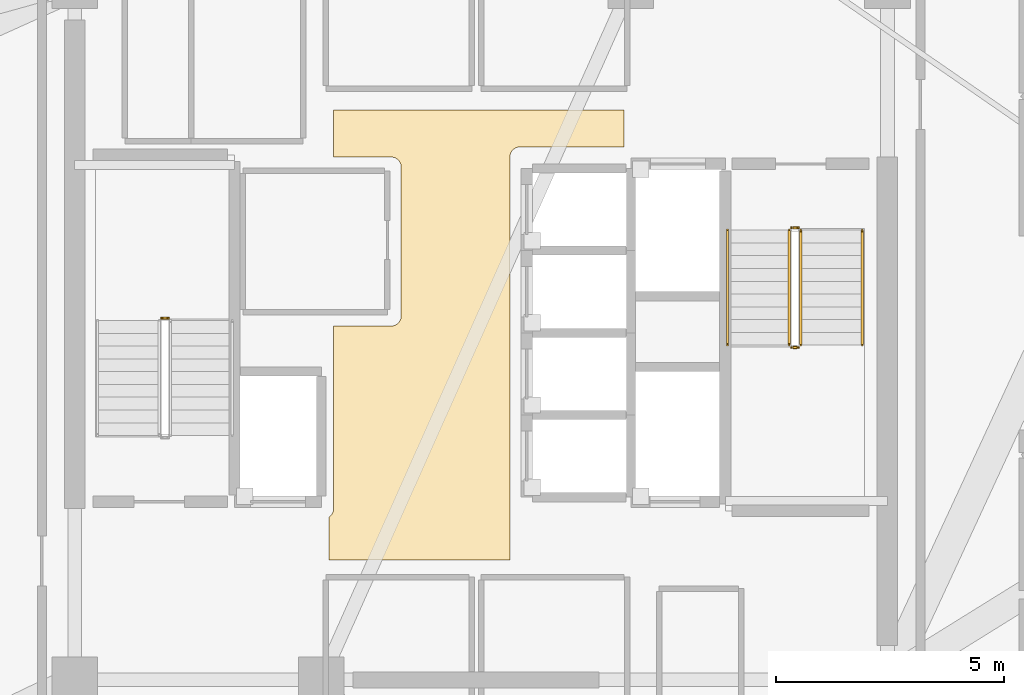
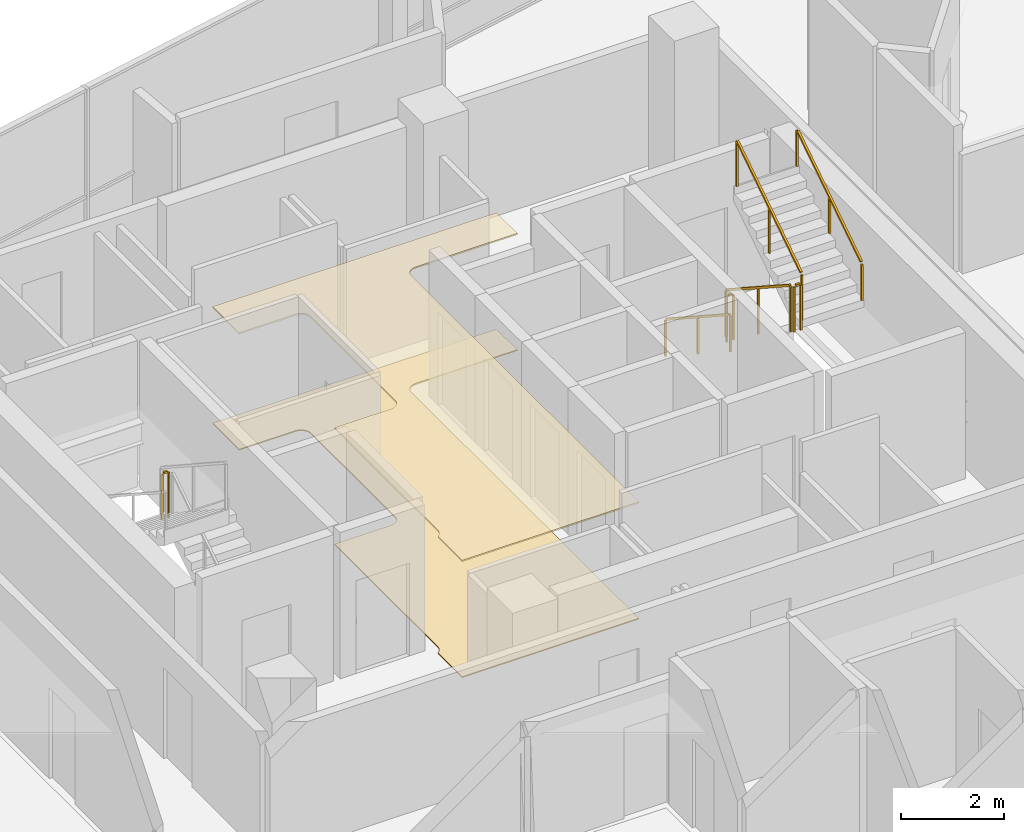
# One storey, part 17 of 18: 7 railings, 2 coverings.
"""IFC4 building model written with IfcOpenShell, lengths in metres."""

from ifc_helpers import new_model, si_unit, direction, frame, origin, origin_2d, place, context, subcontext, project, spatial, polyline, rectangle, outline, extrude, material, layer, layer_set, type_object, element, save


model = new_model("IFC4")

# Units and contexts
model_context = context("Model", 3, precision=1e-05, world=origin(), true_north=direction((0.0, 1.0)))
body_context = subcontext(model_context, "Body", "Model", "MODEL_VIEW")
ifc_project = project(units=[si_unit("LENGTHUNIT", "METRE"), si_unit("AREAUNIT", "SQUARE_METRE"), si_unit("VOLUMEUNIT", "CUBIC_METRE"), si_unit("PLANEANGLEUNIT", "RADIAN"), si_unit("MASSUNIT", "GRAM", prefix="KILO")], contexts=[model_context])

# Site, building, storey
site_placement = place(None, origin())
site = spatial("IfcSite", under=ifc_project, at=site_placement, CompositionType="ELEMENT")
building_placement = place(site_placement, origin())
building = spatial("IfcBuilding", under=site, at=building_placement, Name="Tharavind Bronze Gate", CompositionType="ELEMENT")
storey_placement = place(building_placement, frame((0.0, 0.0, 279.75)))
storey = spatial("IfcBuildingStorey", under=building, at=storey_placement, Name="L72", CompositionType="ELEMENT", Elevation=279.75)

# Coverings
ifc_material_1 = material(Name="Perforated Bronze Acoustic Panel", Category="bronze")
ifc_layer_1 = layer(ifc_material_1, 0.044921875)
ifc_layer_set_1 = layer_set([ifc_layer_1], Name="Perforated Bronze Acoustic Panel")
covering_type_1 = type_object("IfcCoveringType", Name="ACOUSTIC BRONZE BAFFLE CEILING", PredefinedType="CEILING", material=ifc_layer_set_1)
covering_1_placement = place(storey_placement, frame((0.0, 0.0, 2.75)))
element("IfcCovering", 1, at=covering_1_placement, inside=storey, type_object=covering_type_1, Name="L72-C-LL suspended ceiling", PredefinedType="CEILING", context=body_context, shape_type="SweptSolid", body=[
    extrude(outline(polyline([(-3.330078125, -4.97998046875), (0.6298828125, -4.97998046875), (0.6298828125, 3.85009765625), (0.631103515625, 3.87158203125), (0.63427734375, 3.892822265625), (0.639404296875, 3.913818359375), (0.646728515625, 3.93408203125), (0.656005859375, 3.95361328125), (0.6669921875, 3.97216796875), (0.679931640625, 3.989501953125), (0.6943359375, 4.005615234375), (0.71044921875, 4.02001953125), (0.727783203125, 4.032958984375), (0.746337890625, 4.0439453125), (0.765869140625, 4.05322265625), (0.7861328125, 4.060546875), (0.80712890625, 4.06591796875), (0.828369140625, 4.06884765625), (0.85009765625, 4.070068359375), (3.1298828125, 4.070068359375), (3.1298828125, 4.8798828125), (-3.22998046875, 4.8798828125), (-3.22998046875, 3.85009765625), (-1.969970703125, 3.85009765625), (-1.948486328125, 3.848876953125), (-1.927001953125, 3.845703125), (-1.906005859375, 3.840576171875), (-1.8857421875, 3.833251953125), (-1.8662109375, 3.823974609375), (-1.847900390625, 3.81298828125), (-1.830322265625, 3.800048828125), (-1.814453125, 3.78564453125), (-1.7998046875, 3.76953125), (-1.787109375, 3.752197265625), (-1.77587890625, 3.733642578125), (-1.7666015625, 3.714111328125), (-1.759521484375, 3.69384765625), (-1.754150390625, 3.6728515625), (-1.751220703125, 3.651611328125), (-1.75, 3.6298828125), (-1.75, 0.3701171875), (-1.751220703125, 0.348388671875), (-1.754150390625, 0.3271484375), (-1.759521484375, 0.30615234375), (-1.7666015625, 0.285888671875), (-1.77587890625, 0.266357421875), (-1.787109375, 0.247802734375), (-1.7998046875, 0.23046875), (-1.814453125, 0.21435546875), (-1.830322265625, 0.199951171875), (-1.847900390625, 0.18701171875), (-1.8662109375, 0.176025390625), (-1.8857421875, 0.166748046875), (-1.906005859375, 0.159423828125), (-1.927001953125, 0.154296875), (-1.948486328125, 0.151123046875), (-1.969970703125, 0.14990234375), (-3.22998046875, 0.14990234375), (-3.22998046875, -3.85009765625), (-3.231201171875, -3.87158203125), (-3.234130859375, -3.892822265625), (-3.239501953125, -3.913818359375), (-3.24658203125, -3.93408203125), (-3.256103515625, -3.95361328125), (-3.26708984375, -3.97216796875), (-3.27978515625, -3.989501953125), (-3.29443359375, -4.005615234375), (-3.310302734375, -4.02001953125), (-3.327880859375, -4.032958984375), (-3.330078125, -4.0341796875), (-3.330078125, -4.97998046875)])), origin(), (0.0, 0.0, 1.0), 0.034912109375),
])
ifc_material_2 = material(Name="Honed Travertine Limestone", Category="masonry")
ifc_layer_2 = layer(ifc_material_2, 0.030029296875)
ifc_layer_set_2 = layer_set([ifc_layer_2], Name="Honed Travertine Limestone")
covering_type_2 = type_object("IfcCoveringType", Name="HONED LIMESTONE FLOORING", PredefinedType="FLOORING", material=ifc_layer_set_2)
covering_2_placement = place(storey_placement, origin())
element("IfcCovering", 2, at=covering_2_placement, inside=storey, type_object=covering_type_2, Name="L72-C-LL floor finish", PredefinedType="FLOORING", context=body_context, shape_type="SweptSolid", body=[
    extrude(outline(polyline([(-3.330078125, -4.97998046875), (0.6298828125, -4.97998046875), (0.6298828125, 3.85009765625), (0.631103515625, 3.87158203125), (0.63427734375, 3.892822265625), (0.639404296875, 3.913818359375), (0.646728515625, 3.93408203125), (0.656005859375, 3.95361328125), (0.6669921875, 3.97216796875), (0.679931640625, 3.989501953125), (0.6943359375, 4.005615234375), (0.71044921875, 4.02001953125), (0.727783203125, 4.032958984375), (0.746337890625, 4.0439453125), (0.765869140625, 4.05322265625), (0.7861328125, 4.060546875), (0.80712890625, 4.06591796875), (0.828369140625, 4.06884765625), (0.85009765625, 4.070068359375), (3.1298828125, 4.070068359375), (3.1298828125, 4.8798828125), (-3.22998046875, 4.8798828125), (-3.22998046875, 3.85009765625), (-1.969970703125, 3.85009765625), (-1.948486328125, 3.848876953125), (-1.927001953125, 3.845703125), (-1.906005859375, 3.840576171875), (-1.8857421875, 3.833251953125), (-1.8662109375, 3.823974609375), (-1.847900390625, 3.81298828125), (-1.830322265625, 3.800048828125), (-1.814453125, 3.78564453125), (-1.7998046875, 3.76953125), (-1.787109375, 3.752197265625), (-1.77587890625, 3.733642578125), (-1.7666015625, 3.714111328125), (-1.759521484375, 3.69384765625), (-1.754150390625, 3.6728515625), (-1.751220703125, 3.651611328125), (-1.75, 3.6298828125), (-1.75, 0.3701171875), (-1.751220703125, 0.348388671875), (-1.754150390625, 0.3271484375), (-1.759521484375, 0.30615234375), (-1.7666015625, 0.285888671875), (-1.77587890625, 0.266357421875), (-1.787109375, 0.247802734375), (-1.7998046875, 0.23046875), (-1.814453125, 0.21435546875), (-1.830322265625, 0.199951171875), (-1.847900390625, 0.18701171875), (-1.8662109375, 0.176025390625), (-1.8857421875, 0.166748046875), (-1.906005859375, 0.159423828125), (-1.927001953125, 0.154296875), (-1.948486328125, 0.151123046875), (-1.969970703125, 0.14990234375), (-3.22998046875, 0.14990234375), (-3.22998046875, -3.85009765625), (-3.231201171875, -3.87158203125), (-3.234130859375, -3.892822265625), (-3.239501953125, -3.913818359375), (-3.24658203125, -3.93408203125), (-3.256103515625, -3.95361328125), (-3.26708984375, -3.97216796875), (-3.27978515625, -3.989501953125), (-3.29443359375, -4.005615234375), (-3.310302734375, -4.02001953125), (-3.327880859375, -4.032958984375), (-3.330078125, -4.0341796875), (-3.330078125, -4.97998046875)])), origin(), (0.0, 0.0, 1.0), 0.02490234375),
])

# Railings
ifc_material_3 = material(Name="Brushed Bronze Alloy", Category="metal")
railing_type_1 = type_object("IfcRailingType", Name="STAIR BRONZE HANDRAIL 900", PredefinedType="HANDRAIL", material=ifc_material_3)
railing_1_placement = place(storey_placement, frame((5.39990234375, 2.25, 0.1826171875)))
element("IfcRailing", 3, at=railing_1_placement, inside=storey, type_object=railing_type_1, Name="L72 ST2 stair handrail 1", PredefinedType="HANDRAIL", context=body_context, shape_type="SweptSolid", body=[
    extrude(rectangle(XDim=0.048095703125, YDim=0.048095703125, at=origin_2d()), frame((0.0, -0.02685546875, 0.893310546875), z_axis=(0.0, -0.837786554691, 0.545997883492), x_axis=(1.0, 0.0, 0.0)), (0.0, 0.0, 1.0), 2.94384765625),
    extrude(rectangle(XDim=0.0400390625, YDim=0.0400390625, at=origin_2d()), origin(), (0.0, 0.0, 1.0), 0.847900390625),
    extrude(rectangle(XDim=0.0400390625, YDim=0.0400390625, at=origin_2d()), frame((0.0, -1.260009765625, 0.8212890625)), (0.0, 0.0, 1.0), 0.847900390625),
    extrude(rectangle(XDim=0.0400390625, YDim=0.0400390625, at=origin_2d()), frame((0.0, -2.52001953125, 1.642333984375)), (0.0, 0.0, 1.0), 0.847900390625),
])
railing_2_placement = place(storey_placement, frame((8.35009765625, -0.27001953125, 2.007568359375)))
element("IfcRailing", 4, at=railing_2_placement, inside=storey, type_object=railing_type_1, Name="L72 ST2 stair handrail 2", PredefinedType="HANDRAIL", context=body_context, shape_type="SweptSolid", body=[
    extrude(rectangle(XDim=0.048095703125, YDim=0.048095703125, at=origin_2d()), frame((0.0, 0.02685546875, 0.893310546875), z_axis=(0.0, 0.837786554691, 0.545997883492), x_axis=(-1.0, 0.0, 0.0)), (0.0, 0.0, 1.0), 2.94384765625),
    extrude(rectangle(XDim=0.0400390625, YDim=0.0400390625, at=origin_2d()), origin(), (0.0, 0.0, 1.0), 0.847900390625),
    extrude(rectangle(XDim=0.0400390625, YDim=0.0400390625, at=origin_2d()), frame((0.0, 1.260009765625, 0.8212890625)), (0.0, 0.0, 1.0), 0.847900390625),
    extrude(rectangle(XDim=0.0400390625, YDim=0.0400390625, at=origin_2d()), frame((0.0, 2.52001953125, 1.642333984375)), (0.0, 0.0, 1.0), 0.847900390625),
])
railing_type_2 = type_object("IfcRailingType", Name="STAIR WELL GUARD RAILING 1120", PredefinedType="GUARDRAIL", material=ifc_material_3)
railing_3_placement = place(storey_placement, frame((-6.85009765625, 0.320068359375, 1.824951171875)))
element("IfcRailing", 5, at=railing_3_placement, inside=storey, type_object=railing_type_2, Name="L72 ST1 stair guard 2", PredefinedType="GUARDRAIL", context=body_context, shape_type="SweptSolid", body=[
    extrude(rectangle(XDim=0.048095703125, YDim=0.048095703125, at=origin_2d()), frame((-0.031982421875, 0.0, 1.09619140625), z_axis=(-1.0, 0.0, 0.0), x_axis=(0.0, -1.0, 0.0)), (0.0, 0.0, 1.0), 0.0859375),
    extrude(rectangle(XDim=0.0400390625, YDim=0.0400390625, at=origin_2d()), origin(), (0.0, 0.0, 1.0), 1.068115234375),
    extrude(rectangle(XDim=0.0400390625, YDim=0.0400390625, at=origin_2d()), frame((-0.14990234375, 0.0, 0.0)), (0.0, 0.0, 1.0), 1.068115234375),
])
railing_4_placement = place(storey_placement, frame((6.75, 2.25, 0.1826171875)))
element("IfcRailing", 6, at=railing_4_placement, inside=storey, type_object=railing_type_2, Name="L72 ST2 stair guard 1", PredefinedType="GUARDRAIL", context=body_context, shape_type="SweptSolid", body=[
    extrude(rectangle(XDim=0.048095703125, YDim=0.048095703125, at=origin_2d()), frame((0.0, -0.02685546875, 1.113525390625), z_axis=(0.0, -0.837786554691, 0.545997883492), x_axis=(1.0, 0.0, 0.0)), (0.0, 0.0, 1.0), 2.94384765625),
    extrude(rectangle(XDim=0.0400390625, YDim=0.0400390625, at=origin_2d()), origin(), (0.0, 0.0, 1.0), 1.068115234375),
    extrude(rectangle(XDim=0.0400390625, YDim=0.0400390625, at=origin_2d()), frame((0.0, -1.260009765625, 0.8212890625)), (0.0, 0.0, 1.0), 1.068115234375),
    extrude(rectangle(XDim=0.0400390625, YDim=0.0400390625, at=origin_2d()), frame((0.0, -2.52001953125, 1.642333984375)), (0.0, 0.0, 1.0), 1.068115234375),
])
railing_5_placement = place(storey_placement, frame((6.800048828125, -0.320068359375, 1.824951171875)))
element("IfcRailing", 7, at=railing_5_placement, inside=storey, type_object=railing_type_2, Name="L72 ST2 stair guard 2", PredefinedType="GUARDRAIL", context=body_context, shape_type="SweptSolid", body=[
    extrude(rectangle(XDim=0.048095703125, YDim=0.048095703125, at=origin_2d()), frame((0.031982421875, 0.0, 1.09619140625), z_axis=(1.0, 0.0, 0.0), x_axis=(0.0, 1.0, 0.0)), (0.0, 0.0, 1.0), 0.0859375),
    extrude(rectangle(XDim=0.0400390625, YDim=0.0400390625, at=origin_2d()), origin(), (0.0, 0.0, 1.0), 1.068115234375),
    extrude(rectangle(XDim=0.0400390625, YDim=0.0400390625, at=origin_2d()), frame((0.14990234375, 0.0, 0.0)), (0.0, 0.0, 1.0), 1.068115234375),
])
railing_6_placement = place(storey_placement, frame((7.0, -0.27001953125, 2.007568359375)))
element("IfcRailing", 8, at=railing_6_placement, inside=storey, type_object=railing_type_2, Name="L72 ST2 stair guard 3", PredefinedType="GUARDRAIL", context=body_context, shape_type="SweptSolid", body=[
    extrude(rectangle(XDim=0.048095703125, YDim=0.048095703125, at=origin_2d()), frame((0.0, 0.02685546875, 1.113525390625), z_axis=(0.0, 0.837786554691, 0.545997883492), x_axis=(-1.0, 0.0, 0.0)), (0.0, 0.0, 1.0), 2.94384765625),
    extrude(rectangle(XDim=0.0400390625, YDim=0.0400390625, at=origin_2d()), origin(), (0.0, 0.0, 1.0), 1.068115234375),
    extrude(rectangle(XDim=0.0400390625, YDim=0.0400390625, at=origin_2d()), frame((0.0, 1.260009765625, 0.8212890625)), (0.0, 0.0, 1.0), 1.068115234375),
    extrude(rectangle(XDim=0.0400390625, YDim=0.0400390625, at=origin_2d()), frame((0.0, 2.52001953125, 1.642333984375)), (0.0, 0.0, 1.0), 1.068115234375),
])
railing_7_placement = place(storey_placement, frame((6.800048828125, 2.300048828125, 0.0)))
element("IfcRailing", 9, at=railing_7_placement, inside=storey, type_object=railing_type_2, Name="L72 ST2 stair guard 4", PredefinedType="GUARDRAIL", context=body_context, shape_type="SweptSolid", body=[
    extrude(rectangle(XDim=0.048095703125, YDim=0.048095703125, at=origin_2d()), frame((0.031982421875, 0.0, 1.09619140625), z_axis=(1.0, 0.0, 0.0), x_axis=(0.0, 1.0, 0.0)), (0.0, 0.0, 1.0), 0.0859375),
    extrude(rectangle(XDim=0.0400390625, YDim=0.0400390625, at=origin_2d()), origin(), (0.0, 0.0, 1.0), 1.068115234375),
    extrude(rectangle(XDim=0.0400390625, YDim=0.0400390625, at=origin_2d()), frame((0.14990234375, 0.0, 0.0)), (0.0, 0.0, 1.0), 1.068115234375),
])

save(model, "model.ifc")
